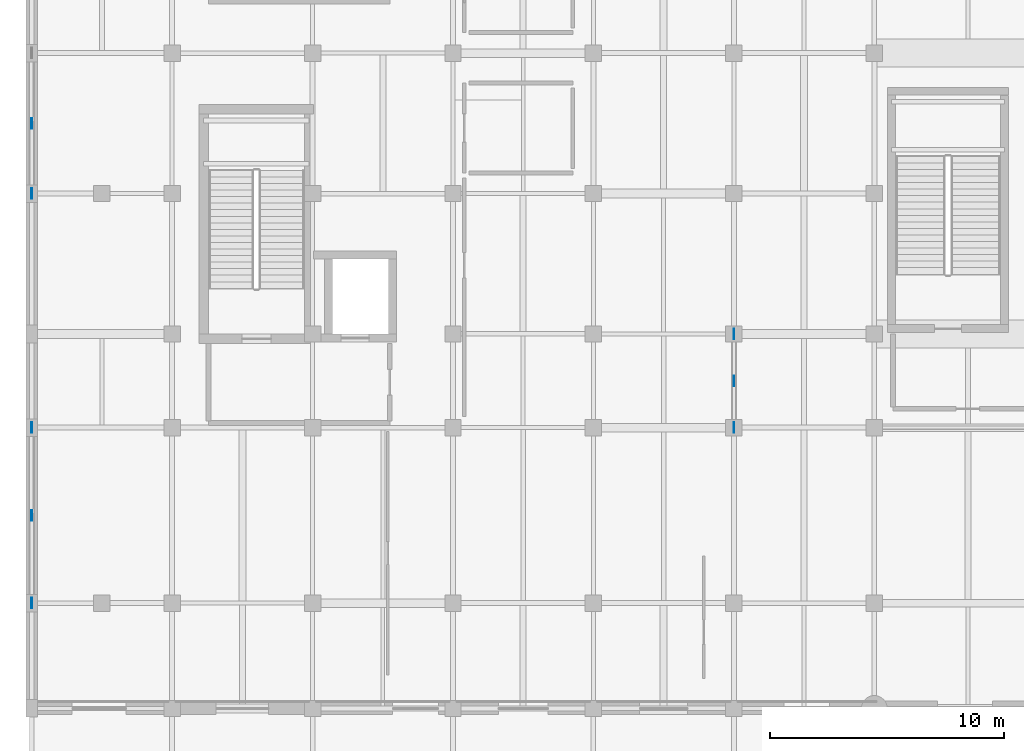
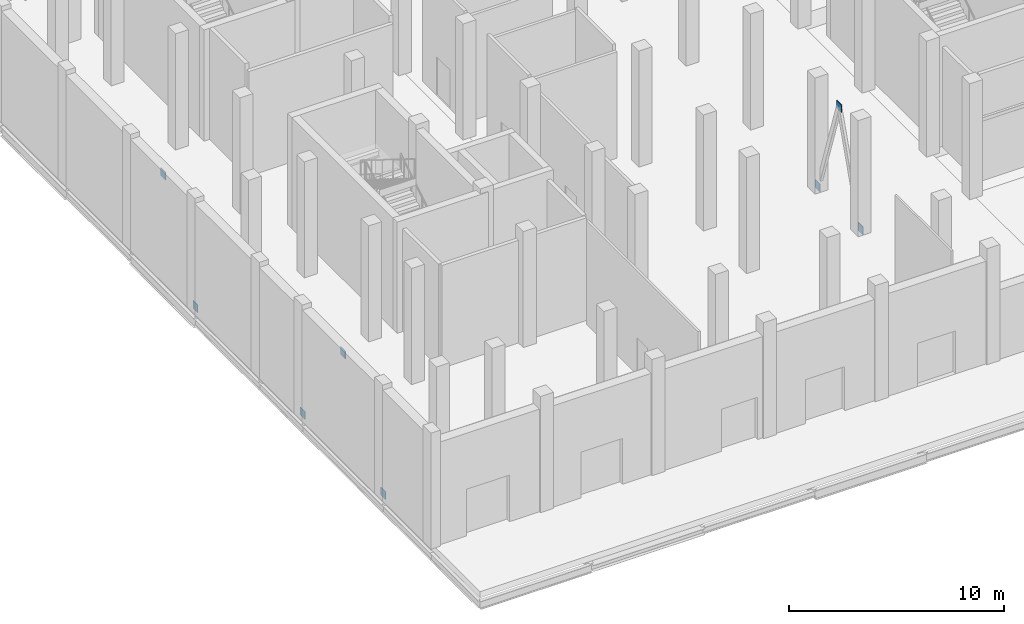
# One storey, part 110 of 140: 8 plates.
"""IFC4 building model written with IfcOpenShell, lengths in metres."""

from ifc_helpers import new_model, si_unit, direction, frame, origin, origin_2d, place, context, subcontext, project, spatial, rectangle, extrude, material, layer, layer_set, type_object, element, save


model = new_model("IFC4")

# Units and contexts
model_context = context("Model", 3, precision=1e-05, world=origin(), true_north=direction((0.0, 1.0)))
body_context = subcontext(model_context, "Body", "Model", "MODEL_VIEW")
ifc_project = project(units=[si_unit("LENGTHUNIT", "METRE"), si_unit("AREAUNIT", "SQUARE_METRE"), si_unit("VOLUMEUNIT", "CUBIC_METRE"), si_unit("PLANEANGLEUNIT", "RADIAN"), si_unit("MASSUNIT", "GRAM", prefix="KILO")], contexts=[model_context])

# Site, building, storey
site_placement = place(None, origin())
site = spatial("IfcSite", under=ifc_project, at=site_placement, CompositionType="ELEMENT")
building_placement = place(site_placement, origin())
building = spatial("IfcBuilding", under=site, at=building_placement, Name="Verrall Gate Interchange", CompositionType="ELEMENT")
storey_placement = place(building_placement, origin())
storey = spatial("IfcBuildingStorey", under=building, at=storey_placement, Name="L01", CompositionType="ELEMENT", Elevation=0.0)

# Plates
ifc_material = material(Name="Structural Steel CSA G40.21 350WT Cat 4", Category="steel")
ifc_layer = layer(ifc_material, 0.030029296875)
ifc_layer_set = layer_set([ifc_layer], Name="Structural Steel CSA G40.21 350WT Cat 4")
plate_type = type_object("IfcPlateType", Name="GP-02 Gusset Plate 30", PredefinedType="SHEET", material=ifc_layer_set)
for number, where, z_axis, x_axis, name in (
    (1, (0.0, 4.5, -0.0849609375), (0.0, 0.0, 1.0), (1.0, 0.0, 0.0), "Chevron Brace Gusset Node CBF1-L01-BA"),
    (2, (0.0, 12.0, -0.0849609375), (0.0, 0.0, 1.0), (1.0, 0.0, 0.0), "Chevron Brace Gusset Node CBF1-L01-BB"),
    (3, (0.0, 8.25, 5.64501953125), (0.0, 0.0, 1.0), (1.0, 0.0, 0.0), "Chevron Brace Gusset Node CBF1-L01-AP"),
    (4, (0.0, 22.0, -0.0849609375), (0.0, 0.0, 1.0), (1.0, 0.0, 0.0), "Chevron Brace Gusset Node CBF2-L01-BA"),
    (5, (0.0, 25.0, 5.64501953125), (0.0, 0.0, 1.0), (1.0, 0.0, 0.0), "Chevron Brace Gusset Node CBF2-L01-AP"),
    (6, (30.0, 12.0, -0.0849609375), (0.0, 0.0, 1.0), (1.0, 0.0, 0.0), "Chevron Brace Gusset Node CBF5-L01-BA"),
    (7, (30.0, 16.0, -0.0849609375), (0.0, 0.0, 1.0), (1.0, 0.0, 0.0), "Chevron Brace Gusset Node CBF5-L01-BB"),
    (8, (30.0, 14.0, 5.64501953125), (0.0, 0.0, 1.0), (1.0, 0.0, 0.0), "Chevron Brace Gusset Node CBF5-L01-AP"),
):
    element("IfcPlate", number, at=place(storey_placement, frame(where, z_axis=z_axis, x_axis=x_axis)), inside=storey, type_object=plate_type, Name=name, PredefinedType="SHEET", context=body_context, shape_type="SweptSolid", body=[
        extrude(rectangle(XDim=0.030029296875, YDim=0.449951171875, at=origin_2d()), origin(), (0.0, 0.0, 1.0), 0.449951171875),
    ])

save(model, "model.ifc")
